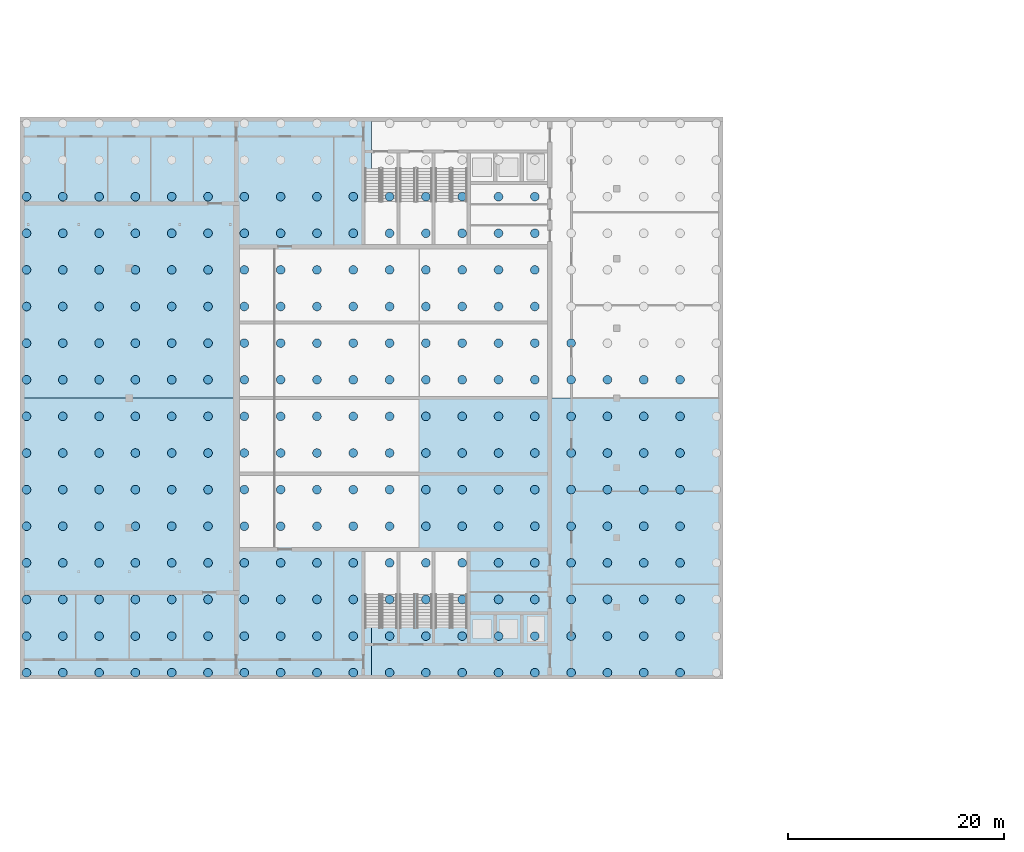
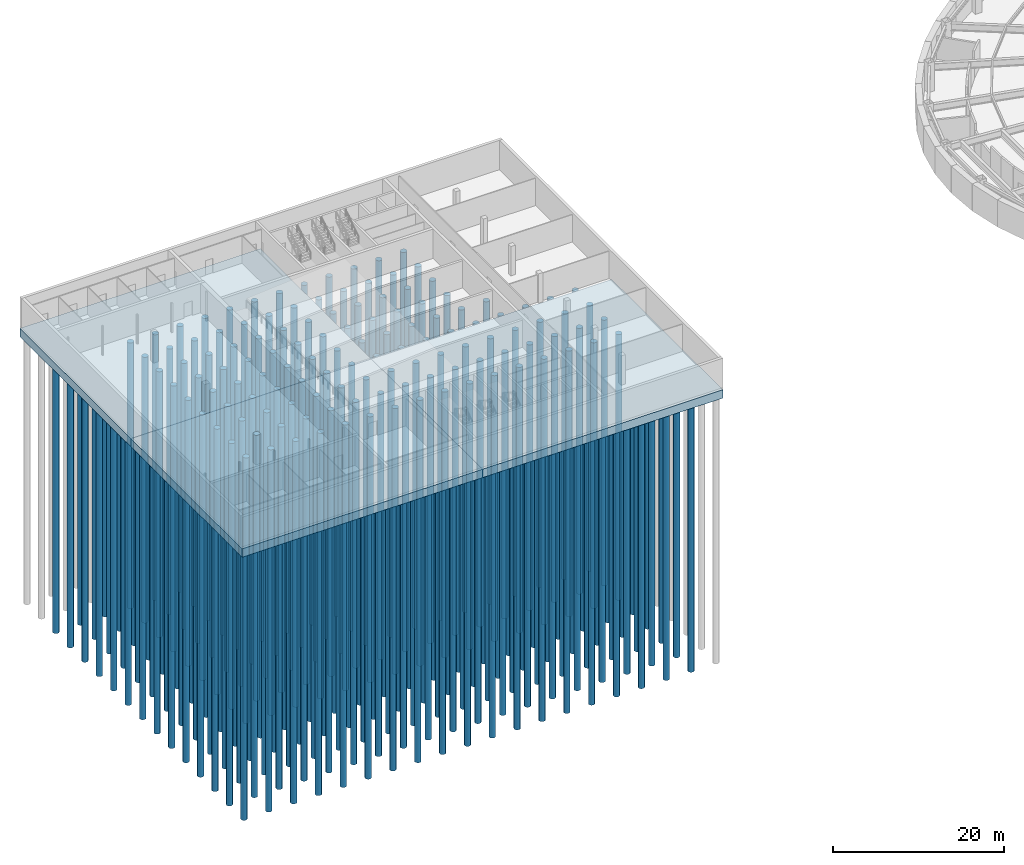
# One storey, part 1 of 32: 247 piles, 3 footings.
"""IFC4 building model written with IfcOpenShell, lengths in metres."""

from ifc_helpers import new_model, si_unit, direction, frame, origin, origin_2d, place, context, subcontext, project, spatial, polyline, circle, outline, extrude, material, layer, layer_set, material_profile, profile_set, type_object, element, save


model = new_model("IFC4")

# Units and contexts
model_context = context("Model", 3, precision=1e-05, world=origin(), true_north=direction((0.0, 1.0)))
body_context = subcontext(model_context, "Body", "Model", "MODEL_VIEW")
ifc_project = project(units=[si_unit("LENGTHUNIT", "METRE"), si_unit("AREAUNIT", "SQUARE_METRE"), si_unit("VOLUMEUNIT", "CUBIC_METRE"), si_unit("PLANEANGLEUNIT", "RADIAN"), si_unit("MASSUNIT", "GRAM", prefix="KILO")], contexts=[model_context])

# Site, building, storey
site_placement = place(None, origin())
site = spatial("IfcSite", under=ifc_project, at=site_placement, CompositionType="ELEMENT")
building_placement = place(site_placement, origin())
building = spatial("IfcBuilding", under=site, at=building_placement, Name="Noorbagh Ring Tower", CompositionType="ELEMENT")
storey_placement = place(building_placement, frame((0.0, 0.0, -4.199951171875)))
storey = spatial("IfcBuildingStorey", under=building, at=storey_placement, Name="B1", CompositionType="ELEMENT", Elevation=-4.199951171875)

# Piles
ifc_material_1 = material(Name="Concrete C50/60", Category="concrete")
ifc_material_profile = material_profile(ifc_material_1, circle(Radius=0.39990234375, at=origin_2d()), Name="PILE800")
ifc_profile_set = profile_set([ifc_material_profile], Name="Concrete C50/60")
pile_type = type_object("IfcPileType", Name="TH-PILE", PredefinedType="BORED", material=ifc_profile_set)
for number, where, z_axis, x_axis, name in (
    (1, (-159.39990234375, -20.39990234375, -1.400146484375), (0.0, 0.0, -1.0), (1.0, 0.0, 0.0), "Theatre pile"),
    (2, (-159.39990234375, -17.01318359375, -1.400146484375), (0.0, 0.0, -1.0), (1.0, 0.0, 0.0), "Theatre pile"),
    (3, (-159.39990234375, -13.626708984375, -1.400146484375), (0.0, 0.0, -1.0), (1.0, 0.0, 0.0), "Theatre pile"),
    (4, (-159.39990234375, -10.239990234375, -1.400146484375), (0.0, 0.0, -1.0), (1.0, 0.0, 0.0), "Theatre pile"),
    (5, (-159.39990234375, -6.853271484375, -1.400146484375), (0.0, 0.0, -1.0), (1.0, 0.0, 0.0), "Theatre pile"),
    (6, (-159.39990234375, -3.466796875, -1.400146484375), (0.0, 0.0, -1.0), (1.0, 0.0, 0.0), "Theatre pile"),
    (7, (-159.39990234375, -0.080078125, -1.400146484375), (0.0, 0.0, -1.0), (1.0, 0.0, 0.0), "Theatre pile"),
    (8, (-159.39990234375, 3.306640625, -1.400146484375), (0.0, 0.0, -1.0), (1.0, 0.0, 0.0), "Theatre pile"),
    (9, (-159.39990234375, 6.693359375, -1.400146484375), (0.0, 0.0, -1.0), (1.0, 0.0, 0.0), "Theatre pile"),
    (10, (-159.39990234375, 10.080078125, -1.400146484375), (0.0, 0.0, -1.0), (1.0, 0.0, 0.0), "Theatre pile"),
    (11, (-159.39990234375, 13.466796875, -1.400146484375), (0.0, 0.0, -1.0), (1.0, 0.0, 0.0), "Theatre pile"),
    (12, (-159.39990234375, 16.853271484375, -1.400146484375), (0.0, 0.0, -1.0), (1.0, 0.0, 0.0), "Theatre pile"),
    (13, (-159.39990234375, 20.239990234375, -1.400146484375), (0.0, 0.0, -1.0), (1.0, 0.0, 0.0), "Theatre pile"),
    (14, (-159.39990234375, 23.626708984375, -1.400146484375), (0.0, 0.0, -1.0), (1.0, 0.0, 0.0), "Theatre pile"),
    (15, (-156.0419921875, -20.39990234375, -1.400146484375), (0.0, 0.0, -1.0), (1.0, 0.0, 0.0), "Theatre pile"),
    (16, (-156.0419921875, -17.01318359375, -1.400146484375), (0.0, 0.0, -1.0), (1.0, 0.0, 0.0), "Theatre pile"),
    (17, (-156.0419921875, -13.626708984375, -1.400146484375), (0.0, 0.0, -1.0), (1.0, 0.0, 0.0), "Theatre pile"),
    (18, (-156.0419921875, -10.239990234375, -1.400146484375), (0.0, 0.0, -1.0), (1.0, 0.0, 0.0), "Theatre pile"),
    (19, (-156.0419921875, -6.853271484375, -1.400146484375), (0.0, 0.0, -1.0), (1.0, 0.0, 0.0), "Theatre pile"),
    (20, (-156.0419921875, -3.466796875, -1.400146484375), (0.0, 0.0, -1.0), (1.0, 0.0, 0.0), "Theatre pile"),
    (21, (-156.0419921875, -0.080078125, -1.400146484375), (0.0, 0.0, -1.0), (1.0, 0.0, 0.0), "Theatre pile"),
    (22, (-156.0419921875, 3.306640625, -1.400146484375), (0.0, 0.0, -1.0), (1.0, 0.0, 0.0), "Theatre pile"),
    (23, (-156.0419921875, 6.693359375, -1.400146484375), (0.0, 0.0, -1.0), (1.0, 0.0, 0.0), "Theatre pile"),
    (24, (-156.0419921875, 10.080078125, -1.400146484375), (0.0, 0.0, -1.0), (1.0, 0.0, 0.0), "Theatre pile"),
    (25, (-156.0419921875, 13.466796875, -1.400146484375), (0.0, 0.0, -1.0), (1.0, 0.0, 0.0), "Theatre pile"),
    (26, (-156.0419921875, 16.853271484375, -1.400146484375), (0.0, 0.0, -1.0), (1.0, 0.0, 0.0), "Theatre pile"),
    (27, (-156.0419921875, 20.239990234375, -1.400146484375), (0.0, 0.0, -1.0), (1.0, 0.0, 0.0), "Theatre pile"),
    (28, (-156.0419921875, 23.626708984375, -1.400146484375), (0.0, 0.0, -1.0), (1.0, 0.0, 0.0), "Theatre pile"),
    (29, (-152.68408203125, -20.39990234375, -1.400146484375), (0.0, 0.0, -1.0), (1.0, 0.0, 0.0), "Theatre pile"),
    (30, (-152.68408203125, -17.01318359375, -1.400146484375), (0.0, 0.0, -1.0), (1.0, 0.0, 0.0), "Theatre pile"),
    (31, (-152.68408203125, -13.626708984375, -1.400146484375), (0.0, 0.0, -1.0), (1.0, 0.0, 0.0), "Theatre pile"),
    (32, (-152.68408203125, -10.239990234375, -1.400146484375), (0.0, 0.0, -1.0), (1.0, 0.0, 0.0), "Theatre pile"),
    (33, (-152.68408203125, -6.853271484375, -1.400146484375), (0.0, 0.0, -1.0), (1.0, 0.0, 0.0), "Theatre pile"),
    (34, (-152.68408203125, -3.466796875, -1.400146484375), (0.0, 0.0, -1.0), (1.0, 0.0, 0.0), "Theatre pile"),
    (35, (-152.68408203125, -0.080078125, -1.400146484375), (0.0, 0.0, -1.0), (1.0, 0.0, 0.0), "Theatre pile"),
    (36, (-152.68408203125, 3.306640625, -1.400146484375), (0.0, 0.0, -1.0), (1.0, 0.0, 0.0), "Theatre pile"),
    (37, (-152.68408203125, 6.693359375, -1.400146484375), (0.0, 0.0, -1.0), (1.0, 0.0, 0.0), "Theatre pile"),
    (38, (-152.68408203125, 10.080078125, -1.400146484375), (0.0, 0.0, -1.0), (1.0, 0.0, 0.0), "Theatre pile"),
    (39, (-152.68408203125, 13.466796875, -1.400146484375), (0.0, 0.0, -1.0), (1.0, 0.0, 0.0), "Theatre pile"),
    (40, (-152.68408203125, 16.853271484375, -1.400146484375), (0.0, 0.0, -1.0), (1.0, 0.0, 0.0), "Theatre pile"),
    (41, (-152.68408203125, 20.239990234375, -1.400146484375), (0.0, 0.0, -1.0), (1.0, 0.0, 0.0), "Theatre pile"),
    (42, (-152.68408203125, 23.626708984375, -1.400146484375), (0.0, 0.0, -1.0), (1.0, 0.0, 0.0), "Theatre pile"),
    (43, (-149.326416015625, -20.39990234375, -1.400146484375), (0.0, 0.0, -1.0), (1.0, 0.0, 0.0), "Theatre pile"),
    (44, (-149.326416015625, -17.01318359375, -1.400146484375), (0.0, 0.0, -1.0), (1.0, 0.0, 0.0), "Theatre pile"),
    (45, (-149.326416015625, -13.626708984375, -1.400146484375), (0.0, 0.0, -1.0), (1.0, 0.0, 0.0), "Theatre pile"),
    (46, (-149.326416015625, -10.239990234375, -1.400146484375), (0.0, 0.0, -1.0), (1.0, 0.0, 0.0), "Theatre pile"),
    (47, (-149.326416015625, -6.853271484375, -1.400146484375), (0.0, 0.0, -1.0), (1.0, 0.0, 0.0), "Theatre pile"),
    (48, (-149.326416015625, -3.466796875, -1.400146484375), (0.0, 0.0, -1.0), (1.0, 0.0, 0.0), "Theatre pile"),
    (49, (-149.326416015625, -0.080078125, -1.400146484375), (0.0, 0.0, -1.0), (1.0, 0.0, 0.0), "Theatre pile"),
    (50, (-149.326416015625, 3.306640625, -1.400146484375), (0.0, 0.0, -1.0), (1.0, 0.0, 0.0), "Theatre pile"),
    (51, (-149.326416015625, 6.693359375, -1.400146484375), (0.0, 0.0, -1.0), (1.0, 0.0, 0.0), "Theatre pile"),
    (52, (-149.326416015625, 10.080078125, -1.400146484375), (0.0, 0.0, -1.0), (1.0, 0.0, 0.0), "Theatre pile"),
    (53, (-149.326416015625, 13.466796875, -1.400146484375), (0.0, 0.0, -1.0), (1.0, 0.0, 0.0), "Theatre pile"),
    (54, (-149.326416015625, 16.853271484375, -1.400146484375), (0.0, 0.0, -1.0), (1.0, 0.0, 0.0), "Theatre pile"),
    (55, (-149.326416015625, 20.239990234375, -1.400146484375), (0.0, 0.0, -1.0), (1.0, 0.0, 0.0), "Theatre pile"),
    (56, (-149.326416015625, 23.626708984375, -1.400146484375), (0.0, 0.0, -1.0), (1.0, 0.0, 0.0), "Theatre pile"),
    (57, (-145.968505859375, -20.39990234375, -1.400146484375), (0.0, 0.0, -1.0), (1.0, 0.0, 0.0), "Theatre pile"),
    (58, (-145.968505859375, -17.01318359375, -1.400146484375), (0.0, 0.0, -1.0), (1.0, 0.0, 0.0), "Theatre pile"),
    (59, (-145.968505859375, -13.626708984375, -1.400146484375), (0.0, 0.0, -1.0), (1.0, 0.0, 0.0), "Theatre pile"),
    (60, (-145.968505859375, -10.239990234375, -1.400146484375), (0.0, 0.0, -1.0), (1.0, 0.0, 0.0), "Theatre pile"),
    (61, (-145.968505859375, -6.853271484375, -1.400146484375), (0.0, 0.0, -1.0), (1.0, 0.0, 0.0), "Theatre pile"),
    (62, (-145.968505859375, -3.466796875, -1.400146484375), (0.0, 0.0, -1.0), (1.0, 0.0, 0.0), "Theatre pile"),
    (63, (-145.968505859375, -0.080078125, -1.400146484375), (0.0, 0.0, -1.0), (1.0, 0.0, 0.0), "Theatre pile"),
    (64, (-145.968505859375, 3.306640625, -1.400146484375), (0.0, 0.0, -1.0), (1.0, 0.0, 0.0), "Theatre pile"),
    (65, (-145.968505859375, 6.693359375, -1.400146484375), (0.0, 0.0, -1.0), (1.0, 0.0, 0.0), "Theatre pile"),
    (66, (-145.968505859375, 10.080078125, -1.400146484375), (0.0, 0.0, -1.0), (1.0, 0.0, 0.0), "Theatre pile"),
    (67, (-145.968505859375, 13.466796875, -1.400146484375), (0.0, 0.0, -1.0), (1.0, 0.0, 0.0), "Theatre pile"),
    (68, (-145.968505859375, 16.853271484375, -1.400146484375), (0.0, 0.0, -1.0), (1.0, 0.0, 0.0), "Theatre pile"),
    (69, (-145.968505859375, 20.239990234375, -1.400146484375), (0.0, 0.0, -1.0), (1.0, 0.0, 0.0), "Theatre pile"),
    (70, (-145.968505859375, 23.626708984375, -1.400146484375), (0.0, 0.0, -1.0), (1.0, 0.0, 0.0), "Theatre pile"),
    (71, (-142.610595703125, -20.39990234375, -1.400146484375), (0.0, 0.0, -1.0), (1.0, 0.0, 0.0), "Theatre pile"),
    (72, (-142.610595703125, -17.01318359375, -1.400146484375), (0.0, 0.0, -1.0), (1.0, 0.0, 0.0), "Theatre pile"),
    (73, (-142.610595703125, -13.626708984375, -1.400146484375), (0.0, 0.0, -1.0), (1.0, 0.0, 0.0), "Theatre pile"),
    (74, (-142.610595703125, -10.239990234375, -1.400146484375), (0.0, 0.0, -1.0), (1.0, 0.0, 0.0), "Theatre pile"),
    (75, (-142.610595703125, -6.853271484375, -1.400146484375), (0.0, 0.0, -1.0), (1.0, 0.0, 0.0), "Theatre pile"),
    (76, (-142.610595703125, -3.466796875, -1.400146484375), (0.0, 0.0, -1.0), (1.0, 0.0, 0.0), "Theatre pile"),
    (77, (-142.610595703125, -0.080078125, -1.400146484375), (0.0, 0.0, -1.0), (1.0, 0.0, 0.0), "Theatre pile"),
    (78, (-142.610595703125, 3.306640625, -1.400146484375), (0.0, 0.0, -1.0), (1.0, 0.0, 0.0), "Theatre pile"),
    (79, (-142.610595703125, 6.693359375, -1.400146484375), (0.0, 0.0, -1.0), (1.0, 0.0, 0.0), "Theatre pile"),
    (80, (-142.610595703125, 10.080078125, -1.400146484375), (0.0, 0.0, -1.0), (1.0, 0.0, 0.0), "Theatre pile"),
    (81, (-142.610595703125, 13.466796875, -1.400146484375), (0.0, 0.0, -1.0), (1.0, 0.0, 0.0), "Theatre pile"),
    (82, (-142.610595703125, 16.853271484375, -1.400146484375), (0.0, 0.0, -1.0), (1.0, 0.0, 0.0), "Theatre pile"),
    (83, (-142.610595703125, 20.239990234375, -1.400146484375), (0.0, 0.0, -1.0), (1.0, 0.0, 0.0), "Theatre pile"),
    (84, (-142.610595703125, 23.626708984375, -1.400146484375), (0.0, 0.0, -1.0), (1.0, 0.0, 0.0), "Theatre pile"),
    (85, (-139.252685546875, -20.39990234375, -1.400146484375), (0.0, 0.0, -1.0), (1.0, 0.0, 0.0), "Theatre pile"),
    (86, (-139.252685546875, -17.01318359375, -1.400146484375), (0.0, 0.0, -1.0), (1.0, 0.0, 0.0), "Theatre pile"),
    (87, (-139.252685546875, -13.626708984375, -1.400146484375), (0.0, 0.0, -1.0), (1.0, 0.0, 0.0), "Theatre pile"),
    (88, (-139.252685546875, -10.239990234375, -1.400146484375), (0.0, 0.0, -1.0), (1.0, 0.0, 0.0), "Theatre pile"),
    (89, (-139.252685546875, -6.853271484375, -1.400146484375), (0.0, 0.0, -1.0), (1.0, 0.0, 0.0), "Theatre pile"),
    (90, (-139.252685546875, -3.466796875, -1.400146484375), (0.0, 0.0, -1.0), (1.0, 0.0, 0.0), "Theatre pile"),
    (91, (-139.252685546875, -0.080078125, -1.400146484375), (0.0, 0.0, -1.0), (1.0, 0.0, 0.0), "Theatre pile"),
    (92, (-139.252685546875, 3.306640625, -1.400146484375), (0.0, 0.0, -1.0), (1.0, 0.0, 0.0), "Theatre pile"),
    (93, (-139.252685546875, 6.693359375, -1.400146484375), (0.0, 0.0, -1.0), (1.0, 0.0, 0.0), "Theatre pile"),
    (94, (-139.252685546875, 10.080078125, -1.400146484375), (0.0, 0.0, -1.0), (1.0, 0.0, 0.0), "Theatre pile"),
    (95, (-139.252685546875, 13.466796875, -1.400146484375), (0.0, 0.0, -1.0), (1.0, 0.0, 0.0), "Theatre pile"),
    (96, (-139.252685546875, 16.853271484375, -1.400146484375), (0.0, 0.0, -1.0), (1.0, 0.0, 0.0), "Theatre pile"),
    (97, (-139.252685546875, 20.239990234375, -1.400146484375), (0.0, 0.0, -1.0), (1.0, 0.0, 0.0), "Theatre pile"),
    (98, (-139.252685546875, 23.626708984375, -1.400146484375), (0.0, 0.0, -1.0), (1.0, 0.0, 0.0), "Theatre pile"),
    (99, (-135.894775390625, -20.39990234375, -1.400146484375), (0.0, 0.0, -1.0), (1.0, 0.0, 0.0), "Theatre pile"),
    (100, (-135.894775390625, -17.01318359375, -1.400146484375), (0.0, 0.0, -1.0), (1.0, 0.0, 0.0), "Theatre pile"),
    (101, (-135.894775390625, -13.626708984375, -1.400146484375), (0.0, 0.0, -1.0), (1.0, 0.0, 0.0), "Theatre pile"),
    (102, (-135.894775390625, -10.239990234375, -1.400146484375), (0.0, 0.0, -1.0), (1.0, 0.0, 0.0), "Theatre pile"),
    (103, (-135.894775390625, -6.853271484375, -1.400146484375), (0.0, 0.0, -1.0), (1.0, 0.0, 0.0), "Theatre pile"),
    (104, (-135.894775390625, -3.466796875, -1.400146484375), (0.0, 0.0, -1.0), (1.0, 0.0, 0.0), "Theatre pile"),
    (105, (-135.894775390625, -0.080078125, -1.400146484375), (0.0, 0.0, -1.0), (1.0, 0.0, 0.0), "Theatre pile"),
    (106, (-135.894775390625, 3.306640625, -1.400146484375), (0.0, 0.0, -1.0), (1.0, 0.0, 0.0), "Theatre pile"),
    (107, (-135.894775390625, 6.693359375, -1.400146484375), (0.0, 0.0, -1.0), (1.0, 0.0, 0.0), "Theatre pile"),
    (108, (-135.894775390625, 10.080078125, -1.400146484375), (0.0, 0.0, -1.0), (1.0, 0.0, 0.0), "Theatre pile"),
    (109, (-135.894775390625, 13.466796875, -1.400146484375), (0.0, 0.0, -1.0), (1.0, 0.0, 0.0), "Theatre pile"),
    (110, (-135.894775390625, 16.853271484375, -1.400146484375), (0.0, 0.0, -1.0), (1.0, 0.0, 0.0), "Theatre pile"),
    (111, (-135.894775390625, 20.239990234375, -1.400146484375), (0.0, 0.0, -1.0), (1.0, 0.0, 0.0), "Theatre pile"),
    (112, (-135.894775390625, 23.626708984375, -1.400146484375), (0.0, 0.0, -1.0), (1.0, 0.0, 0.0), "Theatre pile"),
    (113, (-132.536865234375, -20.39990234375, -1.400146484375), (0.0, 0.0, -1.0), (1.0, 0.0, 0.0), "Theatre pile"),
    (114, (-132.536865234375, -17.01318359375, -1.400146484375), (0.0, 0.0, -1.0), (1.0, 0.0, 0.0), "Theatre pile"),
    (115, (-132.536865234375, -13.626708984375, -1.400146484375), (0.0, 0.0, -1.0), (1.0, 0.0, 0.0), "Theatre pile"),
    (116, (-132.536865234375, -10.239990234375, -1.400146484375), (0.0, 0.0, -1.0), (1.0, 0.0, 0.0), "Theatre pile"),
    (117, (-132.536865234375, -6.853271484375, -1.400146484375), (0.0, 0.0, -1.0), (1.0, 0.0, 0.0), "Theatre pile"),
    (118, (-132.536865234375, -3.466796875, -1.400146484375), (0.0, 0.0, -1.0), (1.0, 0.0, 0.0), "Theatre pile"),
    (119, (-132.536865234375, -0.080078125, -1.400146484375), (0.0, 0.0, -1.0), (1.0, 0.0, 0.0), "Theatre pile"),
    (120, (-132.536865234375, 3.306640625, -1.400146484375), (0.0, 0.0, -1.0), (1.0, 0.0, 0.0), "Theatre pile"),
    (121, (-132.536865234375, 6.693359375, -1.400146484375), (0.0, 0.0, -1.0), (1.0, 0.0, 0.0), "Theatre pile"),
    (122, (-132.536865234375, 10.080078125, -1.400146484375), (0.0, 0.0, -1.0), (1.0, 0.0, 0.0), "Theatre pile"),
    (123, (-132.536865234375, 13.466796875, -1.400146484375), (0.0, 0.0, -1.0), (1.0, 0.0, 0.0), "Theatre pile"),
    (124, (-132.536865234375, 16.853271484375, -1.400146484375), (0.0, 0.0, -1.0), (1.0, 0.0, 0.0), "Theatre pile"),
    (125, (-132.536865234375, 20.239990234375, -1.400146484375), (0.0, 0.0, -1.0), (1.0, 0.0, 0.0), "Theatre pile"),
    (126, (-132.536865234375, 23.626708984375, -1.400146484375), (0.0, 0.0, -1.0), (1.0, 0.0, 0.0), "Theatre pile"),
    (127, (-129.178955078125, -20.39990234375, -1.400146484375), (0.0, 0.0, -1.0), (1.0, 0.0, 0.0), "Theatre pile"),
    (128, (-129.178955078125, -17.01318359375, -1.400146484375), (0.0, 0.0, -1.0), (1.0, 0.0, 0.0), "Theatre pile"),
    (129, (-129.178955078125, -13.626708984375, -1.400146484375), (0.0, 0.0, -1.0), (1.0, 0.0, 0.0), "Theatre pile"),
    (130, (-129.178955078125, -10.239990234375, -1.400146484375), (0.0, 0.0, -1.0), (1.0, 0.0, 0.0), "Theatre pile"),
    (131, (-129.178955078125, -6.853271484375, -1.400146484375), (0.0, 0.0, -1.0), (1.0, 0.0, 0.0), "Theatre pile"),
    (132, (-129.178955078125, -3.466796875, -1.400146484375), (0.0, 0.0, -1.0), (1.0, 0.0, 0.0), "Theatre pile"),
    (133, (-129.178955078125, -0.080078125, -1.400146484375), (0.0, 0.0, -1.0), (1.0, 0.0, 0.0), "Theatre pile"),
    (134, (-129.178955078125, 3.306640625, -1.400146484375), (0.0, 0.0, -1.0), (1.0, 0.0, 0.0), "Theatre pile"),
    (135, (-129.178955078125, 6.693359375, -1.400146484375), (0.0, 0.0, -1.0), (1.0, 0.0, 0.0), "Theatre pile"),
    (136, (-129.178955078125, 10.080078125, -1.400146484375), (0.0, 0.0, -1.0), (1.0, 0.0, 0.0), "Theatre pile"),
    (137, (-129.178955078125, 13.466796875, -1.400146484375), (0.0, 0.0, -1.0), (1.0, 0.0, 0.0), "Theatre pile"),
    (138, (-129.178955078125, 16.853271484375, -1.400146484375), (0.0, 0.0, -1.0), (1.0, 0.0, 0.0), "Theatre pile"),
    (139, (-129.178955078125, 20.239990234375, -1.400146484375), (0.0, 0.0, -1.0), (1.0, 0.0, 0.0), "Theatre pile"),
    (140, (-129.178955078125, 23.626708984375, -1.400146484375), (0.0, 0.0, -1.0), (1.0, 0.0, 0.0), "Theatre pile"),
    (141, (-125.821044921875, -20.39990234375, -1.400146484375), (0.0, 0.0, -1.0), (1.0, 0.0, 0.0), "Theatre pile"),
    (142, (-125.821044921875, -17.01318359375, -1.400146484375), (0.0, 0.0, -1.0), (1.0, 0.0, 0.0), "Theatre pile"),
    (143, (-125.821044921875, -13.626708984375, -1.400146484375), (0.0, 0.0, -1.0), (1.0, 0.0, 0.0), "Theatre pile"),
    (144, (-125.821044921875, -10.239990234375, -1.400146484375), (0.0, 0.0, -1.0), (1.0, 0.0, 0.0), "Theatre pile"),
    (145, (-125.821044921875, -6.853271484375, -1.400146484375), (0.0, 0.0, -1.0), (1.0, 0.0, 0.0), "Theatre pile"),
    (146, (-125.821044921875, -3.466796875, -1.400146484375), (0.0, 0.0, -1.0), (1.0, 0.0, 0.0), "Theatre pile"),
    (147, (-125.821044921875, -0.080078125, -1.400146484375), (0.0, 0.0, -1.0), (1.0, 0.0, 0.0), "Theatre pile"),
    (148, (-125.821044921875, 3.306640625, -1.400146484375), (0.0, 0.0, -1.0), (1.0, 0.0, 0.0), "Theatre pile"),
    (149, (-125.821044921875, 6.693359375, -1.400146484375), (0.0, 0.0, -1.0), (1.0, 0.0, 0.0), "Theatre pile"),
    (150, (-125.821044921875, 10.080078125, -1.400146484375), (0.0, 0.0, -1.0), (1.0, 0.0, 0.0), "Theatre pile"),
    (151, (-125.821044921875, 13.466796875, -1.400146484375), (0.0, 0.0, -1.0), (1.0, 0.0, 0.0), "Theatre pile"),
    (152, (-125.821044921875, 16.853271484375, -1.400146484375), (0.0, 0.0, -1.0), (1.0, 0.0, 0.0), "Theatre pile"),
    (153, (-125.821044921875, 20.239990234375, -1.400146484375), (0.0, 0.0, -1.0), (1.0, 0.0, 0.0), "Theatre pile"),
    (154, (-125.821044921875, 23.626708984375, -1.400146484375), (0.0, 0.0, -1.0), (1.0, 0.0, 0.0), "Theatre pile"),
    (155, (-122.463134765625, -20.39990234375, -1.400146484375), (0.0, 0.0, -1.0), (1.0, 0.0, 0.0), "Theatre pile"),
    (156, (-122.463134765625, -17.01318359375, -1.400146484375), (0.0, 0.0, -1.0), (1.0, 0.0, 0.0), "Theatre pile"),
    (157, (-122.463134765625, -13.626708984375, -1.400146484375), (0.0, 0.0, -1.0), (1.0, 0.0, 0.0), "Theatre pile"),
    (158, (-122.463134765625, -10.239990234375, -1.400146484375), (0.0, 0.0, -1.0), (1.0, 0.0, 0.0), "Theatre pile"),
    (159, (-122.463134765625, -6.853271484375, -1.400146484375), (0.0, 0.0, -1.0), (1.0, 0.0, 0.0), "Theatre pile"),
    (160, (-122.463134765625, -3.466796875, -1.400146484375), (0.0, 0.0, -1.0), (1.0, 0.0, 0.0), "Theatre pile"),
    (161, (-122.463134765625, -0.080078125, -1.400146484375), (0.0, 0.0, -1.0), (1.0, 0.0, 0.0), "Theatre pile"),
    (162, (-122.463134765625, 3.306640625, -1.400146484375), (0.0, 0.0, -1.0), (1.0, 0.0, 0.0), "Theatre pile"),
    (163, (-122.463134765625, 6.693359375, -1.400146484375), (0.0, 0.0, -1.0), (1.0, 0.0, 0.0), "Theatre pile"),
    (164, (-122.463134765625, 10.080078125, -1.400146484375), (0.0, 0.0, -1.0), (1.0, 0.0, 0.0), "Theatre pile"),
    (165, (-122.463134765625, 13.466796875, -1.400146484375), (0.0, 0.0, -1.0), (1.0, 0.0, 0.0), "Theatre pile"),
    (166, (-122.463134765625, 16.853271484375, -1.400146484375), (0.0, 0.0, -1.0), (1.0, 0.0, 0.0), "Theatre pile"),
    (167, (-122.463134765625, 20.239990234375, -1.400146484375), (0.0, 0.0, -1.0), (1.0, 0.0, 0.0), "Theatre pile"),
    (168, (-122.463134765625, 23.626708984375, -1.400146484375), (0.0, 0.0, -1.0), (1.0, 0.0, 0.0), "Theatre pile"),
    (169, (-119.105224609375, -20.39990234375, -1.400146484375), (0.0, 0.0, -1.0), (1.0, 0.0, 0.0), "Theatre pile"),
    (170, (-119.105224609375, -17.01318359375, -1.400146484375), (0.0, 0.0, -1.0), (1.0, 0.0, 0.0), "Theatre pile"),
    (171, (-119.105224609375, -13.626708984375, -1.400146484375), (0.0, 0.0, -1.0), (1.0, 0.0, 0.0), "Theatre pile"),
    (172, (-119.105224609375, -10.239990234375, -1.400146484375), (0.0, 0.0, -1.0), (1.0, 0.0, 0.0), "Theatre pile"),
    (173, (-119.105224609375, -6.853271484375, -1.400146484375), (0.0, 0.0, -1.0), (1.0, 0.0, 0.0), "Theatre pile"),
    (174, (-119.105224609375, -3.466796875, -1.400146484375), (0.0, 0.0, -1.0), (1.0, 0.0, 0.0), "Theatre pile"),
    (175, (-119.105224609375, -0.080078125, -1.400146484375), (0.0, 0.0, -1.0), (1.0, 0.0, 0.0), "Theatre pile"),
    (176, (-119.105224609375, 3.306640625, -1.400146484375), (0.0, 0.0, -1.0), (1.0, 0.0, 0.0), "Theatre pile"),
    (177, (-119.105224609375, 6.693359375, -1.400146484375), (0.0, 0.0, -1.0), (1.0, 0.0, 0.0), "Theatre pile"),
    (178, (-119.105224609375, 10.080078125, -1.400146484375), (0.0, 0.0, -1.0), (1.0, 0.0, 0.0), "Theatre pile"),
    (179, (-119.105224609375, 13.466796875, -1.400146484375), (0.0, 0.0, -1.0), (1.0, 0.0, 0.0), "Theatre pile"),
    (180, (-119.105224609375, 16.853271484375, -1.400146484375), (0.0, 0.0, -1.0), (1.0, 0.0, 0.0), "Theatre pile"),
    (181, (-119.105224609375, 20.239990234375, -1.400146484375), (0.0, 0.0, -1.0), (1.0, 0.0, 0.0), "Theatre pile"),
    (182, (-119.105224609375, 23.626708984375, -1.400146484375), (0.0, 0.0, -1.0), (1.0, 0.0, 0.0), "Theatre pile"),
    (183, (-115.747314453125, -20.39990234375, -1.400146484375), (0.0, 0.0, -1.0), (1.0, 0.0, 0.0), "Theatre pile"),
    (184, (-115.747314453125, -17.01318359375, -1.400146484375), (0.0, 0.0, -1.0), (1.0, 0.0, 0.0), "Theatre pile"),
    (185, (-115.747314453125, -13.626708984375, -1.400146484375), (0.0, 0.0, -1.0), (1.0, 0.0, 0.0), "Theatre pile"),
    (186, (-115.747314453125, -10.239990234375, -1.400146484375), (0.0, 0.0, -1.0), (1.0, 0.0, 0.0), "Theatre pile"),
    (187, (-115.747314453125, -6.853271484375, -1.400146484375), (0.0, 0.0, -1.0), (1.0, 0.0, 0.0), "Theatre pile"),
    (188, (-115.747314453125, -3.466796875, -1.400146484375), (0.0, 0.0, -1.0), (1.0, 0.0, 0.0), "Theatre pile"),
    (189, (-115.747314453125, -0.080078125, -1.400146484375), (0.0, 0.0, -1.0), (1.0, 0.0, 0.0), "Theatre pile"),
    (190, (-115.747314453125, 3.306640625, -1.400146484375), (0.0, 0.0, -1.0), (1.0, 0.0, 0.0), "Theatre pile"),
    (191, (-115.747314453125, 6.693359375, -1.400146484375), (0.0, 0.0, -1.0), (1.0, 0.0, 0.0), "Theatre pile"),
    (192, (-115.747314453125, 10.080078125, -1.400146484375), (0.0, 0.0, -1.0), (1.0, 0.0, 0.0), "Theatre pile"),
    (193, (-115.747314453125, 13.466796875, -1.400146484375), (0.0, 0.0, -1.0), (1.0, 0.0, 0.0), "Theatre pile"),
    (194, (-115.747314453125, 16.853271484375, -1.400146484375), (0.0, 0.0, -1.0), (1.0, 0.0, 0.0), "Theatre pile"),
    (195, (-115.747314453125, 20.239990234375, -1.400146484375), (0.0, 0.0, -1.0), (1.0, 0.0, 0.0), "Theatre pile"),
    (196, (-115.747314453125, 23.626708984375, -1.400146484375), (0.0, 0.0, -1.0), (1.0, 0.0, 0.0), "Theatre pile"),
    (197, (-112.389404296875, -20.39990234375, -1.400146484375), (0.0, 0.0, -1.0), (1.0, 0.0, 0.0), "Theatre pile"),
    (198, (-112.389404296875, -17.01318359375, -1.400146484375), (0.0, 0.0, -1.0), (1.0, 0.0, 0.0), "Theatre pile"),
    (199, (-112.389404296875, -13.626708984375, -1.400146484375), (0.0, 0.0, -1.0), (1.0, 0.0, 0.0), "Theatre pile"),
    (200, (-112.389404296875, -10.239990234375, -1.400146484375), (0.0, 0.0, -1.0), (1.0, 0.0, 0.0), "Theatre pile"),
    (201, (-112.389404296875, -6.853271484375, -1.400146484375), (0.0, 0.0, -1.0), (1.0, 0.0, 0.0), "Theatre pile"),
    (202, (-112.389404296875, -3.466796875, -1.400146484375), (0.0, 0.0, -1.0), (1.0, 0.0, 0.0), "Theatre pile"),
    (203, (-112.389404296875, -0.080078125, -1.400146484375), (0.0, 0.0, -1.0), (1.0, 0.0, 0.0), "Theatre pile"),
    (204, (-112.389404296875, 3.306640625, -1.400146484375), (0.0, 0.0, -1.0), (1.0, 0.0, 0.0), "Theatre pile"),
    (205, (-112.389404296875, 6.693359375, -1.400146484375), (0.0, 0.0, -1.0), (1.0, 0.0, 0.0), "Theatre pile"),
    (206, (-112.389404296875, 10.080078125, -1.400146484375), (0.0, 0.0, -1.0), (1.0, 0.0, 0.0), "Theatre pile"),
    (207, (-112.389404296875, 13.466796875, -1.400146484375), (0.0, 0.0, -1.0), (1.0, 0.0, 0.0), "Theatre pile"),
    (208, (-112.389404296875, 16.853271484375, -1.400146484375), (0.0, 0.0, -1.0), (1.0, 0.0, 0.0), "Theatre pile"),
    (209, (-112.389404296875, 20.239990234375, -1.400146484375), (0.0, 0.0, -1.0), (1.0, 0.0, 0.0), "Theatre pile"),
    (210, (-112.389404296875, 23.626708984375, -1.400146484375), (0.0, 0.0, -1.0), (1.0, 0.0, 0.0), "Theatre pile"),
    (211, (-109.031494140625, -20.39990234375, -1.400146484375), (0.0, 0.0, -1.0), (1.0, 0.0, 0.0), "Theatre pile"),
    (212, (-109.031494140625, -17.01318359375, -1.400146484375), (0.0, 0.0, -1.0), (1.0, 0.0, 0.0), "Theatre pile"),
    (213, (-109.031494140625, -13.626708984375, -1.400146484375), (0.0, 0.0, -1.0), (1.0, 0.0, 0.0), "Theatre pile"),
    (214, (-109.031494140625, -10.239990234375, -1.400146484375), (0.0, 0.0, -1.0), (1.0, 0.0, 0.0), "Theatre pile"),
    (215, (-109.031494140625, -6.853271484375, -1.400146484375), (0.0, 0.0, -1.0), (1.0, 0.0, 0.0), "Theatre pile"),
    (216, (-109.031494140625, -3.466796875, -1.400146484375), (0.0, 0.0, -1.0), (1.0, 0.0, 0.0), "Theatre pile"),
    (217, (-109.031494140625, -0.080078125, -1.400146484375), (0.0, 0.0, -1.0), (1.0, 0.0, 0.0), "Theatre pile"),
    (218, (-109.031494140625, 3.306640625, -1.400146484375), (0.0, 0.0, -1.0), (1.0, 0.0, 0.0), "Theatre pile"),
    (219, (-109.031494140625, 6.693359375, -1.400146484375), (0.0, 0.0, -1.0), (1.0, 0.0, 0.0), "Theatre pile"),
    (220, (-109.031494140625, 10.080078125, -1.400146484375), (0.0, 0.0, -1.0), (1.0, 0.0, 0.0), "Theatre pile"),
    (221, (-105.673583984375, -20.39990234375, -1.400146484375), (0.0, 0.0, -1.0), (1.0, 0.0, 0.0), "Theatre pile"),
    (222, (-105.673583984375, -17.01318359375, -1.400146484375), (0.0, 0.0, -1.0), (1.0, 0.0, 0.0), "Theatre pile"),
    (223, (-105.673583984375, -13.626708984375, -1.400146484375), (0.0, 0.0, -1.0), (1.0, 0.0, 0.0), "Theatre pile"),
    (224, (-105.673583984375, -10.239990234375, -1.400146484375), (0.0, 0.0, -1.0), (1.0, 0.0, 0.0), "Theatre pile"),
    (225, (-105.673583984375, -6.853271484375, -1.400146484375), (0.0, 0.0, -1.0), (1.0, 0.0, 0.0), "Theatre pile"),
    (226, (-105.673583984375, -3.466796875, -1.400146484375), (0.0, 0.0, -1.0), (1.0, 0.0, 0.0), "Theatre pile"),
    (227, (-105.673583984375, -0.080078125, -1.400146484375), (0.0, 0.0, -1.0), (1.0, 0.0, 0.0), "Theatre pile"),
    (228, (-105.673583984375, 3.306640625, -1.400146484375), (0.0, 0.0, -1.0), (1.0, 0.0, 0.0), "Theatre pile"),
    (229, (-105.673583984375, 6.693359375, -1.400146484375), (0.0, 0.0, -1.0), (1.0, 0.0, 0.0), "Theatre pile"),
    (230, (-102.31591796875, -20.39990234375, -1.400146484375), (0.0, 0.0, -1.0), (1.0, 0.0, 0.0), "Theatre pile"),
    (231, (-102.31591796875, -17.01318359375, -1.400146484375), (0.0, 0.0, -1.0), (1.0, 0.0, 0.0), "Theatre pile"),
    (232, (-102.31591796875, -13.626708984375, -1.400146484375), (0.0, 0.0, -1.0), (1.0, 0.0, 0.0), "Theatre pile"),
    (233, (-102.31591796875, -10.239990234375, -1.400146484375), (0.0, 0.0, -1.0), (1.0, 0.0, 0.0), "Theatre pile"),
    (234, (-102.31591796875, -6.853271484375, -1.400146484375), (0.0, 0.0, -1.0), (1.0, 0.0, 0.0), "Theatre pile"),
    (235, (-102.31591796875, -3.466796875, -1.400146484375), (0.0, 0.0, -1.0), (1.0, 0.0, 0.0), "Theatre pile"),
    (236, (-102.31591796875, -0.080078125, -1.400146484375), (0.0, 0.0, -1.0), (1.0, 0.0, 0.0), "Theatre pile"),
    (237, (-102.31591796875, 3.306640625, -1.400146484375), (0.0, 0.0, -1.0), (1.0, 0.0, 0.0), "Theatre pile"),
    (238, (-102.31591796875, 6.693359375, -1.400146484375), (0.0, 0.0, -1.0), (1.0, 0.0, 0.0), "Theatre pile"),
    (239, (-98.9580078125, -20.39990234375, -1.400146484375), (0.0, 0.0, -1.0), (1.0, 0.0, 0.0), "Theatre pile"),
    (240, (-98.9580078125, -17.01318359375, -1.400146484375), (0.0, 0.0, -1.0), (1.0, 0.0, 0.0), "Theatre pile"),
    (241, (-98.9580078125, -13.626708984375, -1.400146484375), (0.0, 0.0, -1.0), (1.0, 0.0, 0.0), "Theatre pile"),
    (242, (-98.9580078125, -10.239990234375, -1.400146484375), (0.0, 0.0, -1.0), (1.0, 0.0, 0.0), "Theatre pile"),
    (243, (-98.9580078125, -6.853271484375, -1.400146484375), (0.0, 0.0, -1.0), (1.0, 0.0, 0.0), "Theatre pile"),
    (244, (-98.9580078125, -3.466796875, -1.400146484375), (0.0, 0.0, -1.0), (1.0, 0.0, 0.0), "Theatre pile"),
    (245, (-98.9580078125, -0.080078125, -1.400146484375), (0.0, 0.0, -1.0), (1.0, 0.0, 0.0), "Theatre pile"),
    (246, (-98.9580078125, 3.306640625, -1.400146484375), (0.0, 0.0, -1.0), (1.0, 0.0, 0.0), "Theatre pile"),
    (247, (-98.9580078125, 6.693359375, -1.400146484375), (0.0, 0.0, -1.0), (1.0, 0.0, 0.0), "Theatre pile"),
):
    element("IfcPile", number, at=place(storey_placement, frame(where, z_axis=z_axis, x_axis=x_axis)), inside=storey, type_object=pile_type, Name=name, PredefinedType="BORED", context=body_context, shape_type="SweptSolid", body=[
        extrude(circle(Radius=0.39990234375, at=origin_2d()), origin(), (0.0, 0.0, 1.0), 38.0),
    ])

# Footings
ifc_material_2 = material(Name="Concrete C50/60", Category="concrete")
ifc_layer = layer(ifc_material_2, 1.199951171875)
ifc_layer_set = layer_set([ifc_layer], Name="Concrete C50/60")
footing_type = type_object("IfcFootingType", Name="TH-RAFT", PredefinedType="USERDEFINED", material=ifc_layer_set)
footing_1_placement = place(storey_placement, frame((0.0, 0.0, -1.5)))
element("IfcFooting", 248, at=footing_1_placement, inside=storey, type_object=footing_type, Name="Theatre raft panel 1", ObjectType="RAFT", PredefinedType="USERDEFINED", context=body_context, shape_type="SweptSolid", body=[
    extrude(outline(polyline([(-160.0, -21.0), (-127.5, -21.0), (-127.5, 5.0), (-160.0, 5.0), (-160.0, -21.0)])), origin(), (0.0, 0.0, 1.0), 1.199951171875),
])
footing_2_placement = place(storey_placement, frame((0.0, 0.0, -1.5)))
element("IfcFooting", 249, at=footing_2_placement, inside=storey, type_object=footing_type, Name="Theatre raft panel 2", ObjectType="RAFT", PredefinedType="USERDEFINED", context=body_context, shape_type="SweptSolid", body=[
    extrude(outline(polyline([(-127.5, -21.0), (-95.0, -21.0), (-95.0, 5.0), (-127.5, 5.0), (-127.5, -21.0)])), origin(), (0.0, 0.0, 1.0), 1.199951171875),
])
footing_3_placement = place(storey_placement, frame((0.0, 0.0, -1.5)))
element("IfcFooting", 250, at=footing_3_placement, inside=storey, type_object=footing_type, Name="Theatre raft panel 3", ObjectType="RAFT", PredefinedType="USERDEFINED", context=body_context, shape_type="SweptSolid", body=[
    extrude(outline(polyline([(-160.0, 5.0), (-127.5, 5.0), (-127.5, 31.0), (-160.0, 31.0), (-160.0, 5.0)])), origin(), (0.0, 0.0, 1.0), 1.199951171875),
])

save(model, "model.ifc")
